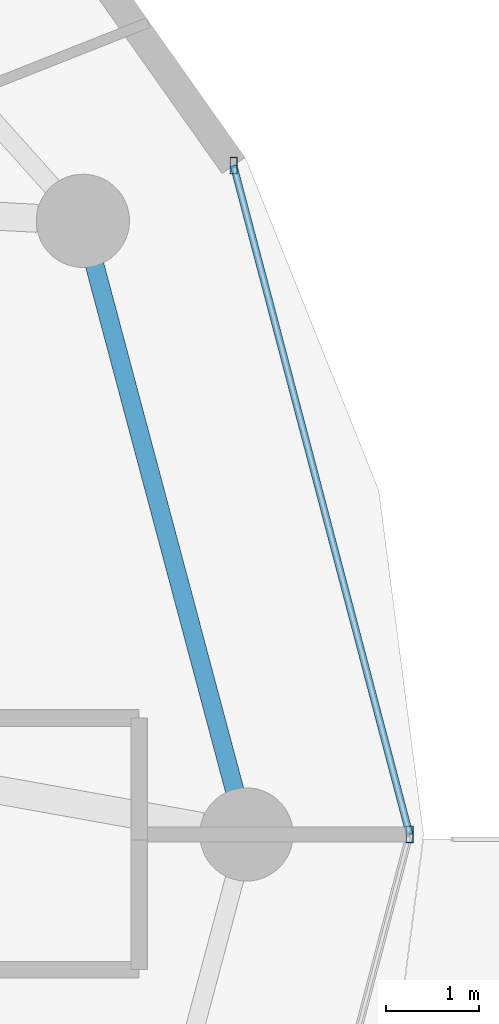
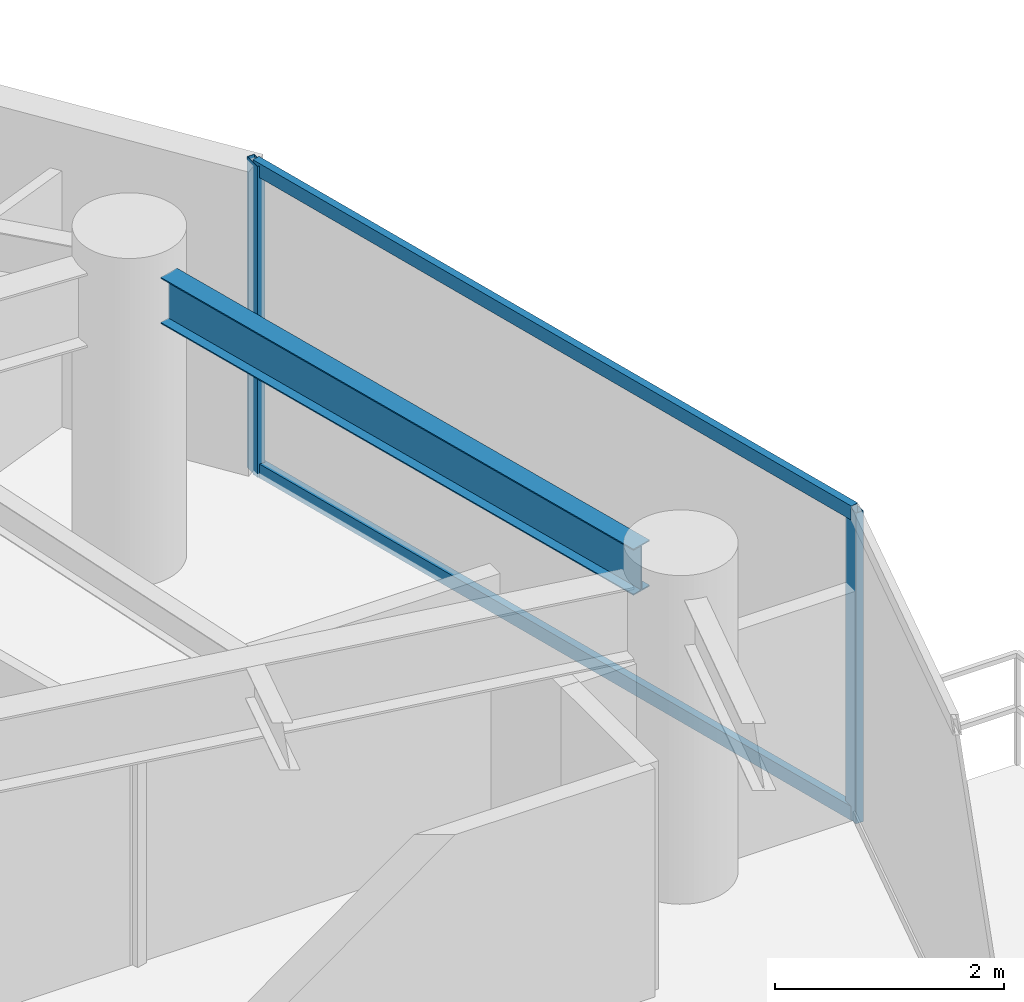
# One storey, part 16 of 31: 4 members, 1 beam, 1 element without a shape of its own.
"""IFC4 building model written with IfcOpenShell, lengths in metres."""

from ifc_helpers import new_model, si_unit, direction, frame, origin, origin_2d, place, context, subcontext, project, spatial, hollow_rectangle, i_section, extrude, material, material_profile, profile_set, type_object, element, aggregate, save


model = new_model("IFC4")

# Units and contexts
model_context = context("Model", 3, precision=1e-05, world=origin(), true_north=direction((0.0, 1.0)))
body_context = subcontext(model_context, "Body", "Model", "MODEL_VIEW")
ifc_project = project(units=[si_unit("LENGTHUNIT", "METRE"), si_unit("AREAUNIT", "SQUARE_METRE"), si_unit("VOLUMEUNIT", "CUBIC_METRE"), si_unit("PLANEANGLEUNIT", "RADIAN"), si_unit("MASSUNIT", "GRAM", prefix="KILO")], contexts=[model_context])

# Site, building, storey
site_placement = place(None, origin())
site = spatial("IfcSite", under=ifc_project, at=site_placement, CompositionType="ELEMENT")
building_placement = place(site_placement, origin())
building = spatial("IfcBuilding", under=site, at=building_placement, Name="Vorneva Point Tower", CompositionType="ELEMENT")
storey_placement = place(building_placement, frame((0.0, 0.0, 132.60009765625)))
storey = spatial("IfcBuildingStorey", under=building, at=storey_placement, Name="L35", CompositionType="ELEMENT", Elevation=132.60009765625)

# Beam
ifc_material_1 = material(Name="Steel S355", Category="steel")
ifc_material_profile_1 = material_profile(ifc_material_1, i_section(OverallWidth=0.199951171875, OverallDepth=0.491943359375, WebThickness=0.0087890625, FlangeThickness=0.011962890625, at=origin_2d()), Name="50B1")
ifc_profile_set_1 = profile_set([ifc_material_profile_1], Name="Steel S355")
beam_type = type_object("IfcBeamType", Name="BM-SPN-50B1", PredefinedType="SPANDREL", material=ifc_profile_set_1)
beam_placement = place(storey_placement, frame((60.925048828125, 26.468505859375, 2.993896484375), z_axis=(-0.257550804648, 0.966264758245, 0.0), x_axis=(-0.966264758245, -0.257550804648, 0.0)))
element("IfcBeam", 1, at=beam_placement, inside=storey, type_object=beam_type, Name="L35 Perimeter Spandrel Ring Beam 01", PredefinedType="SPANDREL", context=body_context, shape_type="SweptSolid", body=[
    extrude(i_section(OverallWidth=0.199951171875, OverallDepth=0.491943359375, WebThickness=0.0087890625, FlangeThickness=0.011962890625, at=origin_2d()), origin(), (0.0, 0.0, 1.0), 5.842041015625),
])

# Curtain wall, members
ifc_material_2 = material(Name="Pale anodised aluminium", Category="aluminium")
curtain_wall_type = type_object("IfcCurtainWallType", Name="CW-RES-SYS", PredefinedType="NOTDEFINED", material=ifc_material_2)
curtain_wall_placement = place(storey_placement, origin())
curtain_wall = element("IfcCurtainWall", 2, at=curtain_wall_placement, inside=storey, type_object=curtain_wall_type, Name="L35 Unitised Curtain Wall CW-L35-R01", PredefinedType="NOTDEFINED")
ifc_material_profile_2 = material_profile(ifc_material_2, hollow_rectangle(XDim=0.074951171875, YDim=0.179931640625, WallThickness=0.00390625, at=origin_2d()), Name="AL-MUL 180x75x4")
ifc_profile_set_2 = profile_set([ifc_material_profile_2], Name="Pale anodised aluminium")
member_type_1 = type_object("IfcMemberType", Name="CW-MUL-180", PredefinedType="MULLION", material=ifc_profile_set_2)
member_1_placement = place(storey_placement, frame((62.800048828125, 26.0, -0.0400390625), z_axis=(0.0, 0.0, 1.0), x_axis=(1.0, 0.0, 0.0)))
member_1 = element("IfcMember", 3, at=member_1_placement, type_object=member_type_1, Name="CW-L35-R01 Mullion 02", PredefinedType="MULLION", context=body_context, shape_type="SweptSolid", body=[
    extrude(hollow_rectangle(XDim=0.074951171875, YDim=0.179931640625, WallThickness=0.00390625, at=origin_2d()), origin(), (0.0, 0.0, 1.0), 3.31005859375),
])
member_2_placement = place(storey_placement, frame((60.912109375, 33.17529296875, -0.0400390625), z_axis=(0.0, 0.0, 1.0), x_axis=(1.0, 0.0, 0.0)))
member_2 = element("IfcMember", 4, at=member_2_placement, type_object=member_type_1, Name="CW-L35-R01 Mullion 03", PredefinedType="MULLION", context=body_context, shape_type="SweptSolid", body=[
    extrude(hollow_rectangle(XDim=0.074951171875, YDim=0.179931640625, WallThickness=0.00390625, at=origin_2d()), origin(), (0.0, 0.0, 1.0), 3.31005859375),
])
ifc_material_profile_3 = material_profile(ifc_material_2, hollow_rectangle(XDim=0.074951171875, YDim=0.14990234375, WallThickness=0.00390625, at=origin_2d()), Name="AL-TRN 150x75x4")
ifc_profile_set_3 = profile_set([ifc_material_profile_3], Name="Pale anodised aluminium")
member_type_2 = type_object("IfcMemberType", Name="CW-TRN-150", PredefinedType="USERDEFINED", material=ifc_profile_set_3)
member_3_placement = place(storey_placement, frame((62.800048828125, 26.0, 0.02001953125), z_axis=(-0.254456046293, 0.967084339913, 0.0), x_axis=(-0.967084339913, -0.254456046293, 0.0)))
member_3 = element("IfcMember", 5, at=member_3_placement, type_object=member_type_2, Name="CW-L35-R01 Transom 02.1", ObjectType="TRANSOM", PredefinedType="USERDEFINED", context=body_context, shape_type="SweptSolid", body=[
    extrude(hollow_rectangle(XDim=0.074951171875, YDim=0.14990234375, WallThickness=0.00390625, at=origin_2d()), origin(), (0.0, 0.0, 1.0), 7.41943359375),
])
member_4_placement = place(storey_placement, frame((62.800048828125, 26.0, 3.219970703125), z_axis=(-0.254456046293, 0.967084339913, 0.0), x_axis=(-0.967084339913, -0.254456046293, 0.0)))
member_4 = element("IfcMember", 6, at=member_4_placement, type_object=member_type_2, Name="CW-L35-R01 Transom 02.2", ObjectType="TRANSOM", PredefinedType="USERDEFINED", context=body_context, shape_type="SweptSolid", body=[
    extrude(hollow_rectangle(XDim=0.074951171875, YDim=0.14990234375, WallThickness=0.00390625, at=origin_2d()), origin(), (0.0, 0.0, 1.0), 7.41943359375),
])
aggregate(curtain_wall, [member_1, member_2, member_3, member_4])

save(model, "model.ifc")
